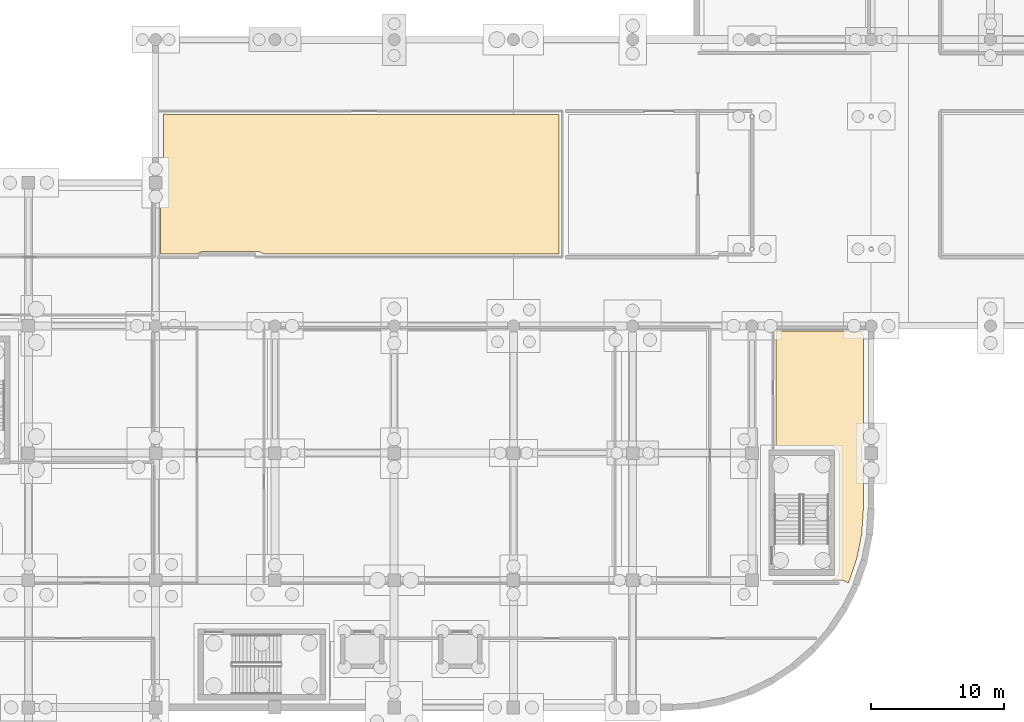
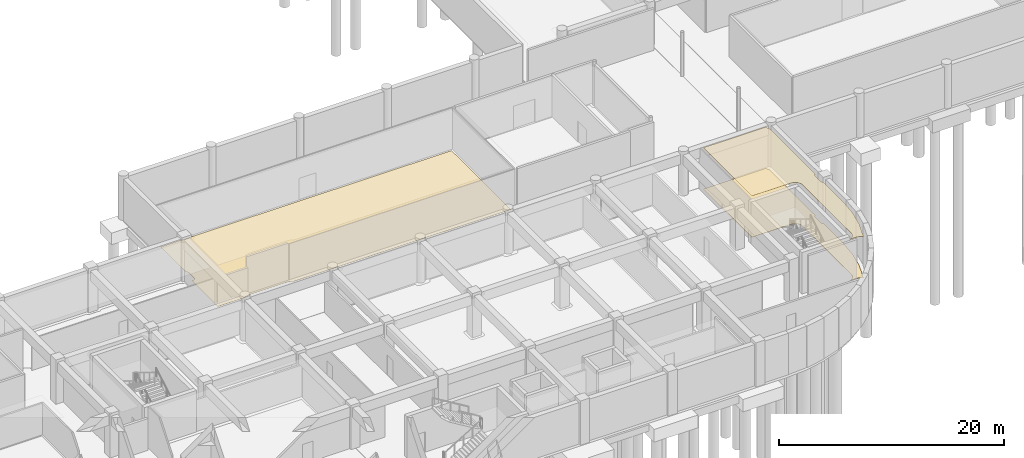
# One storey, part 36 of 47: 3 coverings.
"""IFC4 building model written with IfcOpenShell, lengths in metres."""

from ifc_helpers import new_model, si_unit, direction, frame, origin, place, context, subcontext, project, spatial, polyline, outline, extrude, material, layer, layer_set, type_object, element, save


model = new_model("IFC4")

# Units and contexts
model_context = context("Model", 3, precision=1e-05, world=origin(), true_north=direction((0.0, 1.0)))
body_context = subcontext(model_context, "Body", "Model", "MODEL_VIEW")
ifc_project = project(units=[si_unit("LENGTHUNIT", "METRE"), si_unit("AREAUNIT", "SQUARE_METRE"), si_unit("VOLUMEUNIT", "CUBIC_METRE"), si_unit("PLANEANGLEUNIT", "RADIAN"), si_unit("MASSUNIT", "GRAM", prefix="KILO")], contexts=[model_context])

# Site, building, storey
site_placement = place(None, origin())
site = spatial("IfcSite", under=ifc_project, at=site_placement, CompositionType="ELEMENT")
building_placement = place(site_placement, origin())
building = spatial("IfcBuilding", under=site, at=building_placement, Name="Cendralis Terraced Arcade", CompositionType="ELEMENT")
storey_placement = place(building_placement, frame((0.0, 0.0, -4.800048828125)))
storey = spatial("IfcBuildingStorey", under=building, at=storey_placement, Name="B1", CompositionType="ELEMENT", Elevation=-4.800048828125)

# Coverings
ifc_material = material(Name="Warm Andean oak timber", Category="wood")
ifc_layer_1 = layer(ifc_material, 0.034912109375, Name="COV-CEIL-OAK-35")
ifc_layer_set_1 = layer_set([ifc_layer_1], Name="Warm Andean oak timber")
covering_type_1 = type_object("IfcCoveringType", Name="COV-CEIL-OAK-35", PredefinedType="CEILING", material=ifc_layer_set_1)
covering_1_placement = place(storey_placement, frame((0.0, 0.0, 4.465087890625)))
element("IfcCovering", 1, at=covering_1_placement, inside=storey, type_object=covering_type_1, Name="Acoustic Soffit Ceiling B1-013", PredefinedType="CEILING", context=body_context, shape_type="SweptSolid", body=[
    extrude(outline(polyline([(118.2119140625, 19.2392578125), (118.2236328125, 19.242431640625), (118.23486328125, 19.245849609375), (118.24658203125, 19.249755859375), (118.285400390625, 19.263671875), (118.296875, 19.26806640625), (118.3076171875, 19.2724609375), (118.31884765625, 19.277587890625), (118.356201171875, 19.295166015625), (118.3671875, 19.300537109375), (118.37744140625, 19.30615234375), (118.38818359375, 19.312255859375), (118.423583984375, 19.33349609375), (118.433837890625, 19.340087890625), (118.443603515625, 19.346435546875), (118.45361328125, 19.353515625), (118.48681640625, 19.378173828125), (118.49658203125, 19.3857421875), (118.505615234375, 19.393310546875), (118.514892578125, 19.401123046875), (118.54541015625, 19.428955078125), (118.55419921875, 19.437255859375), (118.562744140625, 19.44580078125), (118.571044921875, 19.45458984375), (118.598876953125, 19.485107421875), (118.606689453125, 19.494384765625), (118.6142578125, 19.50341796875), (118.621826171875, 19.51318359375), (118.646484375, 19.54638671875), (118.653564453125, 19.556396484375), (118.659912109375, 19.566162109375), (118.66650390625, 19.576416015625), (118.687744140625, 19.61181640625), (118.69384765625, 19.62255859375), (118.699462890625, 19.6328125), (118.704833984375, 19.643798828125), (118.722412109375, 19.68115234375), (118.7275390625, 19.6923828125), (118.73193359375, 19.703125), (118.736328125, 19.714599609375), (118.750244140625, 19.75341796875), (118.754150390625, 19.76513671875), (118.757568359375, 19.7763671875), (118.7607421875, 19.7880859375), (118.770751953125, 19.828125), (118.7734375, 19.840087890625), (118.77587890625, 19.851806640625), (118.77783203125, 19.86376953125), (118.783935546875, 19.904541015625), (118.785400390625, 19.916748046875), (118.78662109375, 19.928466796875), (118.78759765625, 19.940673828125), (118.78955078125, 19.981689453125), (118.789794921875, 19.988037109375), (118.789794921875, 19.993896484375), (118.7900390625, 20.0), (118.7900390625, 28.60009765625), (118.789794921875, 28.606201171875), (118.789794921875, 28.612060546875), (118.78955078125, 28.6181640625), (118.78759765625, 28.6591796875), (118.78662109375, 28.671630859375), (118.785400390625, 28.683349609375), (118.783935546875, 28.695556640625), (118.77783203125, 28.736083984375), (118.77587890625, 28.748291015625), (118.7734375, 28.760009765625), (118.770751953125, 28.771728515625), (118.7607421875, 28.811767578125), (118.757568359375, 28.823486328125), (118.754150390625, 28.8349609375), (118.750244140625, 28.8466796875), (118.736328125, 28.885498046875), (118.73193359375, 28.896728515625), (118.7275390625, 28.90771484375), (118.722412109375, 28.9189453125), (118.704833984375, 28.956298828125), (118.699462890625, 28.967041015625), (118.69384765625, 28.9775390625), (118.687744140625, 28.98828125), (118.66650390625, 29.023681640625), (118.659912109375, 29.033935546875), (118.653564453125, 29.043701171875), (118.646484375, 29.0537109375), (118.621826171875, 29.0869140625), (118.6142578125, 29.096435546875), (118.606689453125, 29.105712890625), (118.598876953125, 29.114990234375), (118.571044921875, 29.1455078125), (118.562744140625, 29.154296875), (118.55419921875, 29.16259765625), (118.54541015625, 29.171142578125), (118.514892578125, 29.19873046875), (118.505615234375, 29.206787109375), (118.49658203125, 29.21435546875), (118.48681640625, 29.221923828125), (118.45361328125, 29.246337890625), (118.443603515625, 29.25341796875), (118.433837890625, 29.260009765625), (118.423583984375, 29.2666015625), (118.38818359375, 29.287841796875), (118.37744140625, 29.293701171875), (118.3671875, 29.29931640625), (118.356201171875, 29.304931640625), (118.31884765625, 29.322509765625), (118.3076171875, 29.327392578125), (118.296875, 29.33203125), (118.285400390625, 29.33642578125), (118.24658203125, 29.350341796875), (118.23486328125, 29.35400390625), (118.2236328125, 29.357666015625), (118.2119140625, 29.36083984375), (118.171875, 29.370849609375), (118.159912109375, 29.37353515625), (118.148193359375, 29.375732421875), (118.13623046875, 29.3779296875), (118.095458984375, 29.384033203125), (118.083251953125, 29.385498046875), (118.071533203125, 29.38671875), (118.059326171875, 29.387451171875), (118.018310546875, 29.3896484375), (118.011962890625, 29.389892578125), (118.006103515625, 29.389892578125), (118.0, 29.389892578125), (114.030029296875, 29.389892578125), (114.030029296875, 38.030029296875), (120.47998046875, 38.030029296875), (120.47998046875, 37.949951171875), (120.480224609375, 37.937744140625), (120.48046875, 37.935791015625), (120.48291015625, 37.911376953125), (120.483154296875, 37.909423828125), (120.48779296875, 37.885498046875), (120.48828125, 37.88330078125), (120.49560546875, 37.860107421875), (120.49609375, 37.858154296875), (120.505615234375, 37.83544921875), (120.50634765625, 37.833740234375), (120.517822265625, 37.81201171875), (120.518798828125, 37.810302734375), (120.53271484375, 37.7900390625), (120.53369140625, 37.788330078125), (120.54931640625, 37.769287109375), (120.550537109375, 37.76806640625), (120.568115234375, 37.75048828125), (120.5693359375, 37.749267578125), (120.58837890625, 37.733642578125), (120.590087890625, 37.732666015625), (120.610107421875, 37.71923828125), (120.610107421875, 29.519287109375), (120.608642578125, 29.5185546875), (120.5869140625, 29.507080078125), (120.58544921875, 29.506103515625), (120.56494140625, 29.492431640625), (120.5634765625, 29.4912109375), (120.54443359375, 29.4755859375), (120.54296875, 29.474365234375), (120.525634765625, 29.45703125), (120.5244140625, 29.45556640625), (120.5087890625, 29.4365234375), (120.507568359375, 29.43505859375), (120.493896484375, 29.41455078125), (120.492919921875, 29.4130859375), (120.4814453125, 29.391357421875), (120.48046875, 29.389404296875), (120.47119140625, 29.366943359375), (120.470458984375, 29.364990234375), (120.46337890625, 29.341552734375), (120.462890625, 29.339599609375), (120.4580078125, 29.315673828125), (120.457763671875, 29.313720703125), (120.455322265625, 29.289306640625), (120.455322265625, 29.287353515625), (120.455078125, 29.27490234375), (120.455078125, 28.324951171875), (120.455322265625, 28.312744140625), (120.455322265625, 28.310791015625), (120.457763671875, 28.286376953125), (120.4580078125, 28.284423828125), (120.462890625, 28.260498046875), (120.46337890625, 28.25830078125), (120.470458984375, 28.235107421875), (120.47119140625, 28.233154296875), (120.48046875, 28.21044921875), (120.4814453125, 28.208740234375), (120.492919921875, 28.18701171875), (120.493896484375, 28.185302734375), (120.507568359375, 28.1650390625), (120.5087890625, 28.163330078125), (120.5244140625, 28.144287109375), (120.525634765625, 28.14306640625), (120.54296875, 28.12548828125), (120.54443359375, 28.124267578125), (120.5634765625, 28.108642578125), (120.56494140625, 28.107666015625), (120.58544921875, 28.093994140625), (120.5869140625, 28.093017578125), (120.608642578125, 28.081298828125), (120.610107421875, 28.080810546875), (120.610107421875, 24.619384765625), (120.485595703125, 22.71923828125), (120.117919921875, 20.87060546875), (119.511962890625, 19.0859375), (119.459228515625, 18.979248046875), (119.4560546875, 18.98193359375), (119.447021484375, 18.9892578125), (119.442138671875, 18.992919921875), (119.4375, 18.996337890625), (119.432861328125, 19.0), (119.38427734375, 19.03515625), (119.37939453125, 19.038818359375), (119.37451171875, 19.0419921875), (119.36962890625, 19.04541015625), (119.35986328125, 19.0517578125), (119.354736328125, 19.054931640625), (119.349853515625, 19.05810546875), (119.3447265625, 19.06103515625), (119.293212890625, 19.091552734375), (119.287841796875, 19.094482421875), (119.28271484375, 19.097412109375), (119.277587890625, 19.10009765625), (119.26708984375, 19.10546875), (119.261962890625, 19.1083984375), (119.256591796875, 19.11083984375), (119.251220703125, 19.113525390625), (119.197021484375, 19.138671875), (119.19140625, 19.14111328125), (119.18603515625, 19.1435546875), (119.180419921875, 19.145751953125), (119.169921875, 19.150146484375), (119.164306640625, 19.15234375), (119.15869140625, 19.154541015625), (119.153076171875, 19.156494140625), (119.0966796875, 19.176513671875), (119.0908203125, 19.17822265625), (119.08544921875, 19.18017578125), (119.07958984375, 19.181884765625), (119.068603515625, 19.185302734375), (119.062744140625, 19.18701171875), (119.05712890625, 19.1884765625), (119.05126953125, 19.18994140625), (118.9931640625, 19.2041015625), (118.9873046875, 19.20556640625), (118.981689453125, 19.206787109375), (118.9755859375, 19.2080078125), (118.96435546875, 19.210205078125), (118.958251953125, 19.21142578125), (118.95263671875, 19.21240234375), (118.94677734375, 19.21337890625), (118.887451171875, 19.221923828125), (118.88134765625, 19.222900390625), (118.875732421875, 19.223388671875), (118.86962890625, 19.22412109375), (118.858154296875, 19.22509765625), (118.85205078125, 19.225830078125), (118.84619140625, 19.226318359375), (118.84033203125, 19.2265625), (118.780517578125, 19.2294921875), (118.777587890625, 19.2294921875), (118.774658203125, 19.229736328125), (118.771484375, 19.229736328125), (118.765869140625, 19.22998046875), (118.7626953125, 19.22998046875), (118.759765625, 19.22998046875), (118.7568359375, 19.22998046875), (118.17529296875, 19.22998046875), (118.2119140625, 19.2392578125)])), origin(), (0.0, 0.0, 1.0), 0.034912109375),
])
ifc_layer_2 = layer(ifc_material, 0.02197265625, Name="COV-FLR-OAK-22")
ifc_layer_set_2 = layer_set([ifc_layer_2], Name="Warm Andean oak timber")
covering_type_2 = type_object("IfcCoveringType", Name="COV-FLR-OAK-22", PredefinedType="FLOORING", material=ifc_layer_set_2)
covering_2_placement = place(storey_placement, origin())
element("IfcCovering", 2, at=covering_2_placement, inside=storey, type_object=covering_type_2, Name="Interior Finish Flooring B1-009", PredefinedType="FLOORING", context=body_context, shape_type="SweptSolid", body=[
    extrude(outline(polyline([(67.7900390625, 54.399169921875), (67.800048828125, 54.396484375), (67.805908203125, 54.395263671875), (67.811767578125, 54.393798828125), (67.817626953125, 54.392578125), (67.829345703125, 54.390380859375), (67.835205078125, 54.38916015625), (67.841064453125, 54.38818359375), (67.84716796875, 54.38720703125), (67.9072265625, 54.37841796875), (67.913330078125, 54.37744140625), (67.919189453125, 54.376708984375), (67.92529296875, 54.376220703125), (67.93701171875, 54.375), (67.943115234375, 54.37451171875), (67.94921875, 54.3740234375), (67.955078125, 54.37353515625), (68.01611328125, 54.37060546875), (68.01904296875, 54.37060546875), (68.02197265625, 54.370361328125), (68.02490234375, 54.370361328125), (68.031005859375, 54.3701171875), (68.033935546875, 54.3701171875), (68.036865234375, 54.3701171875), (68.0400390625, 54.3701171875), (97.6298828125, 54.3701171875), (97.6298828125, 43.830078125), (75.3544921875, 43.830078125), (75.350830078125, 43.832763671875), (75.345947265625, 43.836181640625), (75.3408203125, 43.839599609375), (75.3310546875, 43.84619140625), (75.325927734375, 43.849365234375), (75.321044921875, 43.8525390625), (75.31591796875, 43.855712890625), (75.263671875, 43.88720703125), (75.25830078125, 43.89013671875), (75.253173828125, 43.89306640625), (75.247802734375, 43.89599609375), (75.2373046875, 43.901611328125), (75.23193359375, 43.904296875), (75.226806640625, 43.906982421875), (75.22119140625, 43.90966796875), (75.166259765625, 43.935791015625), (75.16064453125, 43.938232421875), (75.1552734375, 43.940673828125), (75.149658203125, 43.943115234375), (75.138671875, 43.947509765625), (75.133056640625, 43.949951171875), (75.12744140625, 43.951904296875), (75.12158203125, 43.9541015625), (75.064453125, 43.974609375), (75.05859375, 43.976806640625), (75.052978515625, 43.978515625), (75.047119140625, 43.98046875), (75.035888671875, 43.98388671875), (75.030029296875, 43.985595703125), (75.0244140625, 43.987060546875), (75.018310546875, 43.988525390625), (74.95947265625, 44.00341796875), (74.953369140625, 44.0048828125), (74.94775390625, 44.006103515625), (74.941650390625, 44.00732421875), (74.93017578125, 44.009765625), (74.924072265625, 44.0107421875), (74.918212890625, 44.01171875), (74.912109375, 44.0126953125), (74.85205078125, 44.021728515625), (74.845947265625, 44.0224609375), (74.840087890625, 44.023193359375), (74.833984375, 44.02392578125), (74.822265625, 44.025146484375), (74.816162109375, 44.025634765625), (74.810302734375, 44.02587890625), (74.80419921875, 44.0263671875), (74.743408203125, 44.029296875), (74.740478515625, 44.029541015625), (74.7373046875, 44.029541015625), (74.734375, 44.02978515625), (74.728515625, 44.02978515625), (74.725341796875, 44.02978515625), (74.722412109375, 44.030029296875), (74.719482421875, 44.030029296875), (70.980712890625, 44.030029296875), (70.9775390625, 44.030029296875), (70.974609375, 44.02978515625), (70.9716796875, 44.02978515625), (70.9658203125, 44.02978515625), (70.962890625, 44.02978515625), (70.959716796875, 44.029541015625), (70.956787109375, 44.029296875), (70.896484375, 44.026611328125), (70.890625, 44.026123046875), (70.884765625, 44.025634765625), (70.878662109375, 44.025146484375), (70.8671875, 44.024169921875), (70.861083984375, 44.0234375), (70.855224609375, 44.022705078125), (70.849365234375, 44.02197265625), (70.789794921875, 44.01318359375), (70.78369140625, 44.01220703125), (70.77783203125, 44.01123046875), (70.77197265625, 44.010009765625), (70.760498046875, 44.0078125), (70.754638671875, 44.006591796875), (70.748779296875, 44.00537109375), (70.742919921875, 44.00390625), (70.6845703125, 43.989501953125), (70.6787109375, 43.98779296875), (70.673095703125, 43.986328125), (70.667236328125, 43.984619140625), (70.656005859375, 43.981201171875), (70.650146484375, 43.9794921875), (70.64453125, 43.977783203125), (70.638916015625, 43.975830078125), (70.58203125, 43.955810546875), (70.576416015625, 43.95361328125), (70.571044921875, 43.951416015625), (70.565185546875, 43.94921875), (70.554443359375, 43.94482421875), (70.548828125, 43.9423828125), (70.543701171875, 43.940185546875), (70.5380859375, 43.9375), (70.4833984375, 43.912109375), (70.47802734375, 43.909423828125), (70.472900390625, 43.906982421875), (70.46728515625, 43.904052734375), (70.45703125, 43.898681640625), (70.451904296875, 43.895751953125), (70.44677734375, 43.892822265625), (70.44140625, 43.889892578125), (70.3896484375, 43.859130859375), (70.384521484375, 43.85595703125), (70.37939453125, 43.852783203125), (70.374267578125, 43.849609375), (70.364501953125, 43.84326171875), (70.359619140625, 43.83984375), (70.354736328125, 43.83642578125), (70.349853515625, 43.8330078125), (70.34716796875, 43.830810546875), (67.570068359375, 43.830078125), (67.570068359375, 48.455078125), (67.675048828125, 48.455078125), (67.687255859375, 48.455322265625), (67.689208984375, 48.455322265625), (67.713623046875, 48.457763671875), (67.715576171875, 48.4580078125), (67.739501953125, 48.462890625), (67.74169921875, 48.46337890625), (67.764892578125, 48.470458984375), (67.766845703125, 48.47119140625), (67.78955078125, 48.48046875), (67.791259765625, 48.4814453125), (67.81298828125, 48.492919921875), (67.814697265625, 48.493896484375), (67.8349609375, 48.507568359375), (67.836669921875, 48.5087890625), (67.855712890625, 48.5244140625), (67.85693359375, 48.525634765625), (67.87451171875, 48.54296875), (67.875732421875, 48.54443359375), (67.891357421875, 48.5634765625), (67.892333984375, 48.56494140625), (67.906005859375, 48.58544921875), (67.906982421875, 48.5869140625), (67.918701171875, 48.608642578125), (67.91943359375, 48.610595703125), (67.928955078125, 48.633056640625), (67.929443359375, 48.635009765625), (67.9365234375, 48.658447265625), (67.93701171875, 48.660400390625), (67.94189453125, 48.684326171875), (67.942138671875, 48.686279296875), (67.944580078125, 48.710693359375), (67.944580078125, 48.712646484375), (67.945068359375, 48.72509765625), (67.945068359375, 49.675048828125), (67.944580078125, 49.687255859375), (67.944580078125, 49.689208984375), (67.942138671875, 49.713623046875), (67.94189453125, 49.715576171875), (67.93701171875, 49.739501953125), (67.9365234375, 49.74169921875), (67.929443359375, 49.764892578125), (67.928955078125, 49.766845703125), (67.91943359375, 49.78955078125), (67.918701171875, 49.791259765625), (67.906982421875, 49.81298828125), (67.906005859375, 49.814697265625), (67.892333984375, 49.8349609375), (67.891357421875, 49.836669921875), (67.875732421875, 49.855712890625), (67.87451171875, 49.85693359375), (67.85693359375, 49.87451171875), (67.855712890625, 49.875732421875), (67.836669921875, 49.891357421875), (67.8349609375, 49.892333984375), (67.814697265625, 49.906005859375), (67.81298828125, 49.906982421875), (67.791259765625, 49.918701171875), (67.7900390625, 49.919189453125), (67.7900390625, 54.399169921875)])), origin(), (0.0, 0.0, 1.0), 0.02197265625),
])
covering_3_placement = place(storey_placement, origin())
element("IfcCovering", 3, at=covering_3_placement, inside=storey, type_object=covering_type_2, Name="Interior Finish Flooring B1-013", PredefinedType="FLOORING", context=body_context, shape_type="SweptSolid", body=[
    extrude(outline(polyline([(118.2119140625, 19.2392578125), (118.2236328125, 19.242431640625), (118.23486328125, 19.245849609375), (118.24658203125, 19.249755859375), (118.285400390625, 19.263671875), (118.296875, 19.26806640625), (118.3076171875, 19.2724609375), (118.31884765625, 19.277587890625), (118.356201171875, 19.295166015625), (118.3671875, 19.300537109375), (118.37744140625, 19.30615234375), (118.38818359375, 19.312255859375), (118.423583984375, 19.33349609375), (118.433837890625, 19.340087890625), (118.443603515625, 19.346435546875), (118.45361328125, 19.353515625), (118.48681640625, 19.378173828125), (118.49658203125, 19.3857421875), (118.505615234375, 19.393310546875), (118.514892578125, 19.401123046875), (118.54541015625, 19.428955078125), (118.55419921875, 19.437255859375), (118.562744140625, 19.44580078125), (118.571044921875, 19.45458984375), (118.598876953125, 19.485107421875), (118.606689453125, 19.494384765625), (118.6142578125, 19.50341796875), (118.621826171875, 19.51318359375), (118.646484375, 19.54638671875), (118.653564453125, 19.556396484375), (118.659912109375, 19.566162109375), (118.66650390625, 19.576416015625), (118.687744140625, 19.61181640625), (118.69384765625, 19.62255859375), (118.699462890625, 19.6328125), (118.704833984375, 19.643798828125), (118.722412109375, 19.68115234375), (118.7275390625, 19.6923828125), (118.73193359375, 19.703125), (118.736328125, 19.714599609375), (118.750244140625, 19.75341796875), (118.754150390625, 19.76513671875), (118.757568359375, 19.7763671875), (118.7607421875, 19.7880859375), (118.770751953125, 19.828125), (118.7734375, 19.840087890625), (118.77587890625, 19.851806640625), (118.77783203125, 19.86376953125), (118.783935546875, 19.904541015625), (118.785400390625, 19.916748046875), (118.78662109375, 19.928466796875), (118.78759765625, 19.940673828125), (118.78955078125, 19.981689453125), (118.789794921875, 19.988037109375), (118.789794921875, 19.993896484375), (118.7900390625, 20.0), (118.7900390625, 28.60009765625), (118.789794921875, 28.606201171875), (118.789794921875, 28.612060546875), (118.78955078125, 28.6181640625), (118.78759765625, 28.6591796875), (118.78662109375, 28.671630859375), (118.785400390625, 28.683349609375), (118.783935546875, 28.695556640625), (118.77783203125, 28.736083984375), (118.77587890625, 28.748291015625), (118.7734375, 28.760009765625), (118.770751953125, 28.771728515625), (118.7607421875, 28.811767578125), (118.757568359375, 28.823486328125), (118.754150390625, 28.8349609375), (118.750244140625, 28.8466796875), (118.736328125, 28.885498046875), (118.73193359375, 28.896728515625), (118.7275390625, 28.90771484375), (118.722412109375, 28.9189453125), (118.704833984375, 28.956298828125), (118.699462890625, 28.967041015625), (118.69384765625, 28.9775390625), (118.687744140625, 28.98828125), (118.66650390625, 29.023681640625), (118.659912109375, 29.033935546875), (118.653564453125, 29.043701171875), (118.646484375, 29.0537109375), (118.621826171875, 29.0869140625), (118.6142578125, 29.096435546875), (118.606689453125, 29.105712890625), (118.598876953125, 29.114990234375), (118.571044921875, 29.1455078125), (118.562744140625, 29.154296875), (118.55419921875, 29.16259765625), (118.54541015625, 29.171142578125), (118.514892578125, 29.19873046875), (118.505615234375, 29.206787109375), (118.49658203125, 29.21435546875), (118.48681640625, 29.221923828125), (118.45361328125, 29.246337890625), (118.443603515625, 29.25341796875), (118.433837890625, 29.260009765625), (118.423583984375, 29.2666015625), (118.38818359375, 29.287841796875), (118.37744140625, 29.293701171875), (118.3671875, 29.29931640625), (118.356201171875, 29.304931640625), (118.31884765625, 29.322509765625), (118.3076171875, 29.327392578125), (118.296875, 29.33203125), (118.285400390625, 29.33642578125), (118.24658203125, 29.350341796875), (118.23486328125, 29.35400390625), (118.2236328125, 29.357666015625), (118.2119140625, 29.36083984375), (118.171875, 29.370849609375), (118.159912109375, 29.37353515625), (118.148193359375, 29.375732421875), (118.13623046875, 29.3779296875), (118.095458984375, 29.384033203125), (118.083251953125, 29.385498046875), (118.071533203125, 29.38671875), (118.059326171875, 29.387451171875), (118.018310546875, 29.3896484375), (118.011962890625, 29.389892578125), (118.006103515625, 29.389892578125), (118.0, 29.389892578125), (114.030029296875, 29.389892578125), (114.030029296875, 38.030029296875), (120.47998046875, 38.030029296875), (120.47998046875, 37.949951171875), (120.480224609375, 37.937744140625), (120.48046875, 37.935791015625), (120.48291015625, 37.911376953125), (120.483154296875, 37.909423828125), (120.48779296875, 37.885498046875), (120.48828125, 37.88330078125), (120.49560546875, 37.860107421875), (120.49609375, 37.858154296875), (120.505615234375, 37.83544921875), (120.50634765625, 37.833740234375), (120.517822265625, 37.81201171875), (120.518798828125, 37.810302734375), (120.53271484375, 37.7900390625), (120.53369140625, 37.788330078125), (120.54931640625, 37.769287109375), (120.550537109375, 37.76806640625), (120.568115234375, 37.75048828125), (120.5693359375, 37.749267578125), (120.58837890625, 37.733642578125), (120.590087890625, 37.732666015625), (120.610107421875, 37.71923828125), (120.610107421875, 29.519287109375), (120.608642578125, 29.5185546875), (120.5869140625, 29.507080078125), (120.58544921875, 29.506103515625), (120.56494140625, 29.492431640625), (120.5634765625, 29.4912109375), (120.54443359375, 29.4755859375), (120.54296875, 29.474365234375), (120.525634765625, 29.45703125), (120.5244140625, 29.45556640625), (120.5087890625, 29.4365234375), (120.507568359375, 29.43505859375), (120.493896484375, 29.41455078125), (120.492919921875, 29.4130859375), (120.4814453125, 29.391357421875), (120.48046875, 29.389404296875), (120.47119140625, 29.366943359375), (120.470458984375, 29.364990234375), (120.46337890625, 29.341552734375), (120.462890625, 29.339599609375), (120.4580078125, 29.315673828125), (120.457763671875, 29.313720703125), (120.455322265625, 29.289306640625), (120.455322265625, 29.287353515625), (120.455078125, 29.27490234375), (120.455078125, 28.324951171875), (120.455322265625, 28.312744140625), (120.455322265625, 28.310791015625), (120.457763671875, 28.286376953125), (120.4580078125, 28.284423828125), (120.462890625, 28.260498046875), (120.46337890625, 28.25830078125), (120.470458984375, 28.235107421875), (120.47119140625, 28.233154296875), (120.48046875, 28.21044921875), (120.4814453125, 28.208740234375), (120.492919921875, 28.18701171875), (120.493896484375, 28.185302734375), (120.507568359375, 28.1650390625), (120.5087890625, 28.163330078125), (120.5244140625, 28.144287109375), (120.525634765625, 28.14306640625), (120.54296875, 28.12548828125), (120.54443359375, 28.124267578125), (120.5634765625, 28.108642578125), (120.56494140625, 28.107666015625), (120.58544921875, 28.093994140625), (120.5869140625, 28.093017578125), (120.608642578125, 28.081298828125), (120.610107421875, 28.080810546875), (120.610107421875, 24.619384765625), (120.485595703125, 22.71923828125), (120.117919921875, 20.87060546875), (119.511962890625, 19.0859375), (119.459228515625, 18.979248046875), (119.4560546875, 18.98193359375), (119.447021484375, 18.9892578125), (119.442138671875, 18.992919921875), (119.4375, 18.996337890625), (119.432861328125, 19.0), (119.38427734375, 19.03515625), (119.37939453125, 19.038818359375), (119.37451171875, 19.0419921875), (119.36962890625, 19.04541015625), (119.35986328125, 19.0517578125), (119.354736328125, 19.054931640625), (119.349853515625, 19.05810546875), (119.3447265625, 19.06103515625), (119.293212890625, 19.091552734375), (119.287841796875, 19.094482421875), (119.28271484375, 19.097412109375), (119.277587890625, 19.10009765625), (119.26708984375, 19.10546875), (119.261962890625, 19.1083984375), (119.256591796875, 19.11083984375), (119.251220703125, 19.113525390625), (119.197021484375, 19.138671875), (119.19140625, 19.14111328125), (119.18603515625, 19.1435546875), (119.180419921875, 19.145751953125), (119.169921875, 19.150146484375), (119.164306640625, 19.15234375), (119.15869140625, 19.154541015625), (119.153076171875, 19.156494140625), (119.0966796875, 19.176513671875), (119.0908203125, 19.17822265625), (119.08544921875, 19.18017578125), (119.07958984375, 19.181884765625), (119.068603515625, 19.185302734375), (119.062744140625, 19.18701171875), (119.05712890625, 19.1884765625), (119.05126953125, 19.18994140625), (118.9931640625, 19.2041015625), (118.9873046875, 19.20556640625), (118.981689453125, 19.206787109375), (118.9755859375, 19.2080078125), (118.96435546875, 19.210205078125), (118.958251953125, 19.21142578125), (118.95263671875, 19.21240234375), (118.94677734375, 19.21337890625), (118.887451171875, 19.221923828125), (118.88134765625, 19.222900390625), (118.875732421875, 19.223388671875), (118.86962890625, 19.22412109375), (118.858154296875, 19.22509765625), (118.85205078125, 19.225830078125), (118.84619140625, 19.226318359375), (118.84033203125, 19.2265625), (118.780517578125, 19.2294921875), (118.777587890625, 19.2294921875), (118.774658203125, 19.229736328125), (118.771484375, 19.229736328125), (118.765869140625, 19.22998046875), (118.7626953125, 19.22998046875), (118.759765625, 19.22998046875), (118.7568359375, 19.22998046875), (118.17529296875, 19.22998046875), (118.2119140625, 19.2392578125)])), origin(), (0.0, 0.0, 1.0), 0.02197265625),
])

save(model, "model.ifc")
